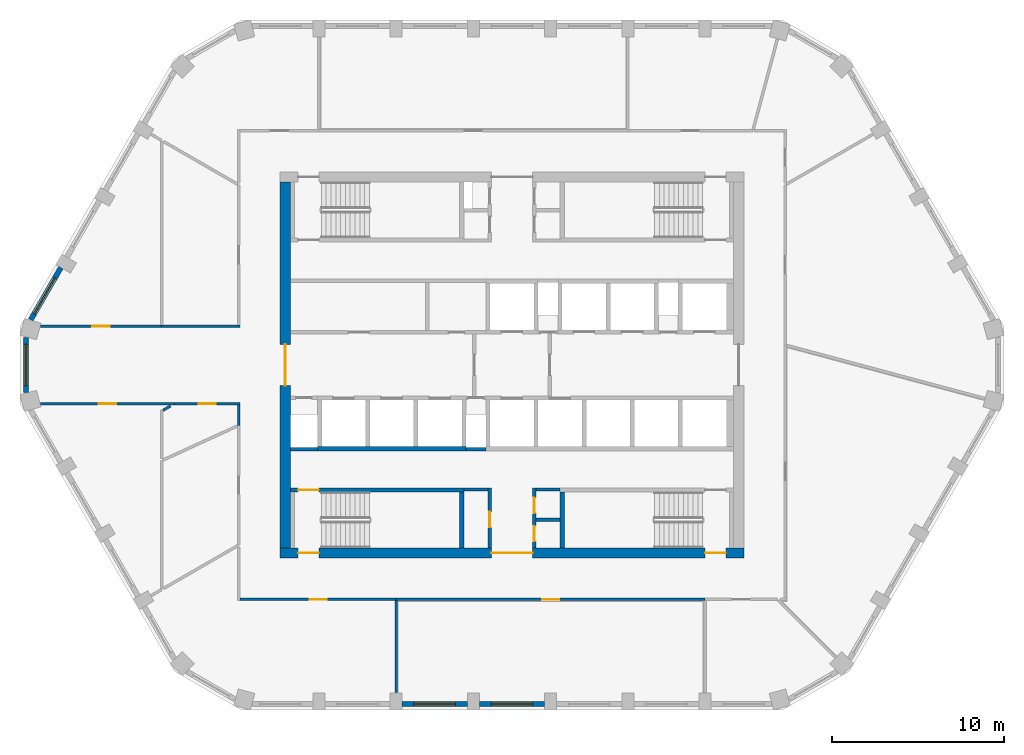
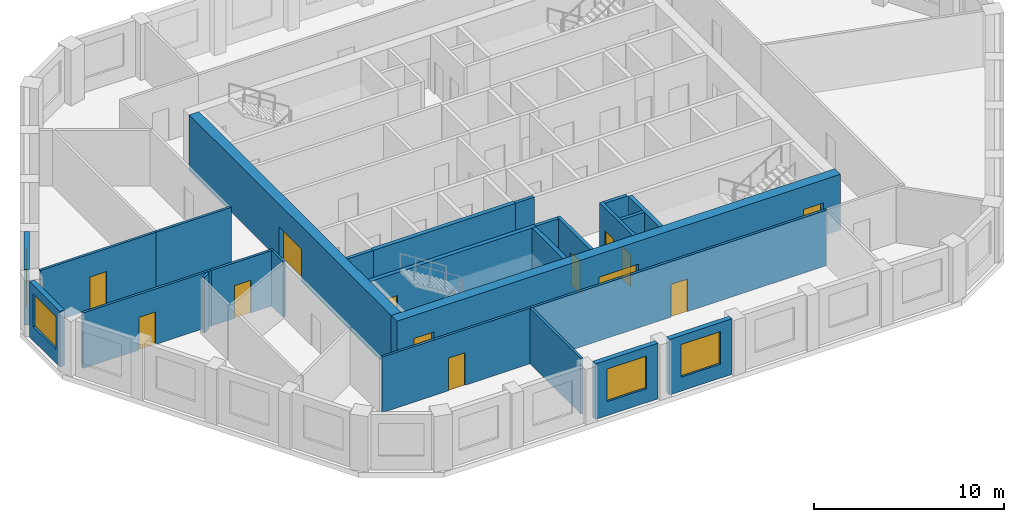
# One storey, part 2 of 10: 26 walls, 13 doors, 4 windows, 17 openings.
"""IFC4 building model written with IfcOpenShell, lengths in metres."""

from ifc_helpers import new_model, si_unit, direction, frame, frame_2d, origin, place, context, subcontext, project, spatial, polyline, rectangle, outline, extrude, material, layer, layer_set, type_object, element, fill, save


model = new_model("IFC4")

# Units and contexts
model_context = context("Model", 3, precision=1e-05, world=origin(), true_north=direction((0.0, 1.0)))
body_context = subcontext(model_context, "Body", "Model", "MODEL_VIEW")
ifc_project = project(units=[si_unit("LENGTHUNIT", "METRE"), si_unit("AREAUNIT", "SQUARE_METRE"), si_unit("VOLUMEUNIT", "CUBIC_METRE"), si_unit("PLANEANGLEUNIT", "RADIAN"), si_unit("MASSUNIT", "GRAM", prefix="KILO")], contexts=[model_context])

# Site, building, storey
site_placement = place(None, origin())
site = spatial("IfcSite", under=ifc_project, at=site_placement, CompositionType="ELEMENT")
building_placement = place(site_placement, origin())
building = spatial("IfcBuilding", under=site, at=building_placement, Name="Dhurran Vertical Campus", CompositionType="ELEMENT")
storey_placement = place(building_placement, frame((0.0, 0.0, 243.0)))
storey = spatial("IfcBuildingStorey", under=building, at=storey_placement, Name="L60", CompositionType="ELEMENT", Elevation=243.0)

# Wall, opening, window
ifc_material_1 = material(Name="Precast concrete C50/60", Category="concrete")
ifc_layer_1 = layer(ifc_material_1, 0.300048828125)
ifc_layer_set_1 = layer_set([ifc_layer_1], Name="Precast concrete C50/60")
wall_type_1 = type_object("IfcWallType", Name="Precast spandrel wall 300", PredefinedType="SOLIDWALL", material=ifc_layer_set_1)
wall_1_placement = place(storey_placement, frame((-6.3994140625, -19.738525390625, 0.0), z_axis=(0.0, 0.0, 1.0), x_axis=(1.0, 0.0, 0.0)))
wall_1 = element("IfcWall", 1, at=wall_1_placement, inside=storey, type_object=wall_type_1, Name="EW1 L60.02", PredefinedType="SOLIDWALL", context=body_context, shape_type="SweptSolid", body=[
    extrude(rectangle(XDim=3.798828125, YDim=0.300048828125, at=frame_2d((1.8994140625, 0.0))), origin(), (0.0, 0.0, 1.0), 3.574951171875),
])
opening_1_placement = place(wall_1_placement, frame((0.699462890625, 0.0, 0.89990234375)))
opening_1 = element("IfcOpeningElement", 2, at=opening_1_placement, cuts=wall_1, Name="Opening WT1", PredefinedType="OPENING", context=body_context, shape_type="SweptSolid", body=[
    extrude(rectangle(XDim=2.39990234375, YDim=2.10009765625, at=frame_2d((1.199951171875, 1.050048828125))), frame((0.0, 0.159912109375, 0.0), z_axis=(0.0, -1.0, 0.0), x_axis=(1.0, 0.0, 0.0)), (0.0, 0.0, 1.0), 0.320068359375),
])
ifc_material_2 = material(Name="Aluminium frame with solar-control glass", Category="aluminium")
window_type = type_object("IfcWindowType", Name="Punched window 2400 x 2100", PartitioningType="SINGLE_PANEL", PredefinedType="WINDOW", material=ifc_material_2)
window_1_placement = place(opening_1_placement, origin())
window_1 = element("IfcWindow", 3, at=window_1_placement, inside=storey, type_object=window_type, Name="WT1 L60.02", OverallHeight=2.10009765625, OverallWidth=2.39990234375, PartitioningType="SINGLE_PANEL", PredefinedType="WINDOW", context=body_context, shape_type="SweptSolid", body=[
    extrude(rectangle(XDim=2.39990234375, YDim=2.10009765625, at=frame_2d((1.199951171875, 1.050048828125))), frame((0.0, 0.030029296875, 0.0), z_axis=(0.0, -1.0, 0.0), x_axis=(1.0, 0.0, 0.0)), (0.0, 0.0, 1.0), 0.06005859375),
])
fill(opening_1, window_1)

wall_2_placement = place(storey_placement, frame((-1.8994140625, -19.738525390625, 0.0), z_axis=(0.0, 0.0, 1.0), x_axis=(1.0, 0.0, 0.0)))
wall_2 = element("IfcWall", 4, at=wall_2_placement, inside=storey, type_object=wall_type_1, Name="EW1 L60.03", PredefinedType="SOLIDWALL", context=body_context, shape_type="SweptSolid", body=[
    extrude(rectangle(XDim=3.798828125, YDim=0.300048828125, at=frame_2d((1.8994140625, 0.0))), origin(), (0.0, 0.0, 1.0), 3.574951171875),
])
opening_2_placement = place(wall_2_placement, frame((0.699462890625, 0.0, 0.89990234375)))
opening_2 = element("IfcOpeningElement", 5, at=opening_2_placement, cuts=wall_2, Name="Opening WT1", PredefinedType="OPENING", context=body_context, shape_type="SweptSolid", body=[
    extrude(rectangle(XDim=2.39990234375, YDim=2.10009765625, at=frame_2d((1.199951171875, 1.050048828125))), frame((0.0, 0.159912109375, 0.0), z_axis=(0.0, -1.0, 0.0), x_axis=(1.0, 0.0, 0.0)), (0.0, 0.0, 1.0), 0.320068359375),
])
window_2_placement = place(opening_2_placement, origin())
window_2 = element("IfcWindow", 6, at=window_2_placement, inside=storey, type_object=window_type, Name="WT1 L60.03", OverallHeight=2.10009765625, OverallWidth=2.39990234375, PartitioningType="SINGLE_PANEL", PredefinedType="WINDOW", context=body_context, shape_type="SweptSolid", body=[
    extrude(rectangle(XDim=2.39990234375, YDim=2.10009765625, at=frame_2d((1.199951171875, 1.050048828125))), frame((0.0, 0.030029296875, 0.0), z_axis=(0.0, -1.0, 0.0), x_axis=(1.0, 0.0, 0.0)), (0.0, 0.0, 1.0), 0.06005859375),
])
fill(opening_2, window_2)

wall_3_placement = place(storey_placement, frame((-26.269287109375, 5.668701171875, 0.0), z_axis=(0.0, 0.0, 1.0), x_axis=(-0.499990325971, -0.866030989016, 0.0)))
wall_3 = element("IfcWall", 7, at=wall_3_placement, inside=storey, type_object=wall_type_1, Name="EW1 L60.29", PredefinedType="SOLIDWALL", context=body_context, shape_type="SweptSolid", body=[
    extrude(rectangle(XDim=3.49755859375, YDim=0.300048828125, at=frame_2d((1.748779296875, 0.0))), origin(), (0.0, 0.0, 1.0), 3.574951171875),
])
opening_3_placement = place(wall_3_placement, frame((0.699462890625, 0.0, 0.89990234375)))
opening_3 = element("IfcOpeningElement", 8, at=opening_3_placement, cuts=wall_3, Name="Opening WT1", PredefinedType="OPENING", context=body_context, shape_type="SweptSolid", body=[
    extrude(rectangle(XDim=2.39990234375, YDim=2.10009765625, at=frame_2d((1.199951171875, 1.050048828125))), frame((0.0, 0.159912109375, 0.0), z_axis=(0.0, -1.0, 0.0), x_axis=(1.0, 0.0, 0.0)), (0.0, 0.0, 1.0), 0.320068359375),
])
window_3_placement = place(opening_3_placement, origin())
window_3 = element("IfcWindow", 9, at=window_3_placement, inside=storey, type_object=window_type, Name="WT1 L60.29", OverallHeight=2.10009765625, OverallWidth=2.39990234375, PartitioningType="SINGLE_PANEL", PredefinedType="WINDOW", context=body_context, shape_type="SweptSolid", body=[
    extrude(rectangle(XDim=2.39990234375, YDim=2.10009765625, at=frame_2d((1.199951171875, 1.050048828125))), frame((0.0, 0.030029296875, 0.0), z_axis=(0.0, -1.0, 0.0), x_axis=(1.0, 0.0, 0.0)), (0.0, 0.0, 1.0), 0.06005859375),
])
fill(opening_3, window_3)

wall_4_placement = place(storey_placement, frame((-28.297119140625, 1.59814453125, 0.0), z_axis=(0.0, 0.0, 1.0), x_axis=(0.0, -1.0, 0.0)))
wall_4 = element("IfcWall", 10, at=wall_4_placement, inside=storey, type_object=wall_type_1, Name="EW1 L60.30", PredefinedType="SOLIDWALL", context=body_context, shape_type="SweptSolid", body=[
    extrude(rectangle(XDim=3.1962890625, YDim=0.300048828125, at=frame_2d((1.59814453125, 0.0))), origin(), (0.0, 0.0, 1.0), 3.574951171875),
])
opening_4_placement = place(wall_4_placement, frame((0.398193359375, 0.0, 0.89990234375)))
opening_4 = element("IfcOpeningElement", 11, at=opening_4_placement, cuts=wall_4, Name="Opening WT1", PredefinedType="OPENING", context=body_context, shape_type="SweptSolid", body=[
    extrude(rectangle(XDim=2.39990234375, YDim=2.10009765625, at=frame_2d((1.199951171875, 1.050048828125))), frame((0.0, 0.159912109375, 0.0), z_axis=(0.0, -1.0, 0.0), x_axis=(1.0, 0.0, 0.0)), (0.0, 0.0, 1.0), 0.320068359375),
])
window_4_placement = place(opening_4_placement, origin())
window_4 = element("IfcWindow", 12, at=window_4_placement, inside=storey, type_object=window_type, Name="WT1 L60.30", OverallHeight=2.10009765625, OverallWidth=2.39990234375, PartitioningType="SINGLE_PANEL", PredefinedType="WINDOW", context=body_context, shape_type="SweptSolid", body=[
    extrude(rectangle(XDim=2.39990234375, YDim=2.10009765625, at=frame_2d((1.199951171875, 1.050048828125))), frame((0.0, 0.030029296875, 0.0), z_axis=(0.0, -1.0, 0.0), x_axis=(1.0, 0.0, 0.0)), (0.0, 0.0, 1.0), 0.06005859375),
])
fill(opening_4, window_4)

# Wall, openings, doors
ifc_material_3 = material(Name="Concrete C50/60", Category="concrete")
ifc_layer_2 = layer(ifc_material_3, 0.60009765625)
ifc_layer_set_2 = layer_set([ifc_layer_2], Name="Concrete C50/60")
wall_type_2 = type_object("IfcWallType", Name="co-CORE-WALL-C2-600", PredefinedType="SHEAR", material=ifc_layer_set_2)
wall_5_placement = place(storey_placement, frame((-13.5, -10.949951171875, 0.0), z_axis=(0.0, 0.0, 1.0), x_axis=(1.0, 0.0, 0.0)))
wall_5 = element("IfcWall", 13, at=wall_5_placement, inside=storey, type_object=wall_type_2, Name="Core wall S L60", PredefinedType="SHEAR", context=body_context, shape_type="SweptSolid", body=[
    extrude(rectangle(XDim=27.0, YDim=0.60009765625, at=frame_2d((13.5, 0.0))), origin(), (0.0, 0.0, 1.0), 3.574951171875),
])
opening_5_placement = place(wall_5_placement, frame((12.300048828125, 0.0, 0.0)))
opening_5 = element("IfcOpeningElement", 14, at=opening_5_placement, cuts=wall_5, Name="Opening CV2", PredefinedType="OPENING", context=body_context, shape_type="SweptSolid", body=[
    extrude(rectangle(XDim=2.39990234375, YDim=2.10009765625, at=frame_2d((1.199951171875, 1.050048828125))), frame((0.0, 0.31005859375, 0.0), z_axis=(0.0, -1.0, 0.0), x_axis=(1.0, 0.0, 0.0)), (0.0, 0.0, 1.0), 0.6201171875),
])
opening_6_placement = place(wall_5_placement, frame((1.050048828125, 0.0, 0.0)))
opening_6 = element("IfcOpeningElement", 15, at=opening_6_placement, cuts=wall_5, Name="Opening XD3", PredefinedType="OPENING", context=body_context, shape_type="SweptSolid", body=[
    extrude(rectangle(XDim=1.199951171875, YDim=2.10009765625, at=frame_2d((0.60009765625, 1.050048828125))), frame((0.0, 0.31005859375, 0.0), z_axis=(0.0, -1.0, 0.0), x_axis=(1.0, 0.0, 0.0)), (0.0, 0.0, 1.0), 0.6201171875),
])
opening_7_placement = place(wall_5_placement, frame((24.75, 0.0, 0.0)))
opening_7 = element("IfcOpeningElement", 16, at=opening_7_placement, cuts=wall_5, Name="Opening XD4", PredefinedType="OPENING", context=body_context, shape_type="SweptSolid", body=[
    extrude(rectangle(XDim=1.199951171875, YDim=2.10009765625, at=frame_2d((0.60009765625, 1.050048828125))), frame((0.0, 0.31005859375, 0.0), z_axis=(0.0, -1.0, 0.0), x_axis=(1.0, 0.0, 0.0)), (0.0, 0.0, 1.0), 0.6201171875),
])
ifc_material_4 = material(Name="Fire-rated glazed door set")
door_type_1 = type_object("IfcDoorType", Name="co-D-LOBBY 2400x2100", OperationType="DOUBLE_DOOR_DOUBLE_SWING", PredefinedType="DOOR", material=ifc_material_4)
door_1_placement = place(opening_5_placement, origin())
door_1 = element("IfcDoor", 17, at=door_1_placement, inside=storey, type_object=door_type_1, Name="Core vestibule door S L60", OperationType="DOUBLE_DOOR_DOUBLE_SWING", OverallHeight=2.10009765625, OverallWidth=2.39990234375, PredefinedType="DOOR", context=body_context, shape_type="SweptSolid", body=[
    extrude(rectangle(XDim=2.39990234375, YDim=2.10009765625, at=frame_2d((1.199951171875, 1.050048828125))), frame((0.0, 0.02490234375, 0.0), z_axis=(0.0, -1.0, 0.0), x_axis=(1.0, 0.0, 0.0)), (0.0, 0.0, 1.0), 0.050048828125),
])
fill(opening_5, door_1)
ifc_material_5 = material(Name="Fire-rated steel door set", Category="steel")
door_type_2 = type_object("IfcDoorType", Name="co-D-STAIR-EXIT 1200x2100", OperationType="SINGLE_SWING_RIGHT", PredefinedType="DOOR", material=ifc_material_5)
door_2_placement = place(opening_6_placement, origin())
door_2 = element("IfcDoor", 18, at=door_2_placement, inside=storey, type_object=door_type_2, Name="Stair ST3 exit door L60", OperationType="SINGLE_SWING_RIGHT", OverallHeight=2.10009765625, OverallWidth=1.199951171875, PredefinedType="DOOR", context=body_context, shape_type="SweptSolid", body=[
    extrude(rectangle(XDim=1.199951171875, YDim=2.10009765625, at=frame_2d((0.60009765625, 1.050048828125))), frame((0.0, 0.02490234375, 0.0), z_axis=(0.0, -1.0, 0.0), x_axis=(1.0, 0.0, 0.0)), (0.0, 0.0, 1.0), 0.050048828125),
])
fill(opening_6, door_2)
door_3_placement = place(opening_7_placement, origin())
door_3 = element("IfcDoor", 19, at=door_3_placement, inside=storey, type_object=door_type_2, Name="Stair ST4 exit door L60", OperationType="SINGLE_SWING_RIGHT", OverallHeight=2.10009765625, OverallWidth=1.199951171875, PredefinedType="DOOR", context=body_context, shape_type="SweptSolid", body=[
    extrude(rectangle(XDim=1.199951171875, YDim=2.10009765625, at=frame_2d((0.60009765625, 1.050048828125))), frame((0.0, 0.02490234375, 0.0), z_axis=(0.0, -1.0, 0.0), x_axis=(1.0, 0.0, 0.0)), (0.0, 0.0, 1.0), 0.050048828125),
])
fill(opening_7, door_3)

# Wall, opening, door
wall_6_placement = place(storey_placement, frame((-13.199951171875, -10.64990234375, 0.0), z_axis=(0.0, 0.0, 1.0), x_axis=(0.0, 1.0, 0.0)))
wall_6 = element("IfcWall", 20, at=wall_6_placement, inside=storey, type_object=wall_type_2, Name="Core wall W L60", PredefinedType="SHEAR", context=body_context, shape_type="SweptSolid", body=[
    extrude(rectangle(XDim=21.2998046875, YDim=0.60009765625, at=frame_2d((10.64990234375, 0.0))), origin(), (0.0, 0.0, 1.0), 3.574951171875),
])
opening_8_placement = place(wall_6_placement, frame((9.449951171875, 0.0, 0.0)))
opening_8 = element("IfcOpeningElement", 21, at=opening_8_placement, cuts=wall_6, Name="Opening CL1", PredefinedType="OPENING", context=body_context, shape_type="SweptSolid", body=[
    extrude(rectangle(XDim=2.39990234375, YDim=2.10009765625, at=frame_2d((1.199951171875, 1.050048828125))), frame((0.0, 0.31005859375, 0.0), z_axis=(0.0, -1.0, 0.0), x_axis=(1.0, 0.0, 0.0)), (0.0, 0.0, 1.0), 0.6201171875),
])
door_4_placement = place(opening_8_placement, origin())
door_4 = element("IfcDoor", 22, at=door_4_placement, inside=storey, type_object=door_type_1, Name="Lift lobby door W L60", OperationType="DOUBLE_DOOR_DOUBLE_SWING", OverallHeight=2.10009765625, OverallWidth=2.39990234375, PredefinedType="DOOR", context=body_context, shape_type="SweptSolid", body=[
    extrude(rectangle(XDim=2.39990234375, YDim=2.10009765625, at=frame_2d((1.199951171875, 1.050048828125))), frame((0.0, 0.02490234375, 0.0), z_axis=(0.0, -1.0, 0.0), x_axis=(1.0, 0.0, 0.0)), (0.0, 0.0, 1.0), 0.050048828125),
])
fill(opening_8, door_4)

# Walls
ifc_material_6 = material(Name="Fire-rated masonry blockwork", Category="masonry")
ifc_layer_3 = layer(ifc_material_6, 0.199951171875)
ifc_layer_set_3 = layer_set([ifc_layer_3], Name="Fire-rated masonry blockwork")
wall_type_3 = type_object("IfcWallType", Name="co-FIRE-PARTITION-200", PredefinedType="PARTITIONING", material=ifc_layer_set_3)
for number, where, z_axis, x_axis, name in (
    (23, (-2.800048828125, -7.25, 0.0), (0.0, 0.0, 1.0), (1.0, 0.0, 0.0), "Core partition sl-SW-S L60"),
    (24, (1.39990234375, -7.25, 0.0), (0.0, 0.0, 1.0), (1.0, 0.0, 0.0), "Core partition sl-SE-S L60"),
    (25, (1.39990234375, -9.0, 0.0), (0.0, 0.0, 1.0), (1.0, 0.0, 0.0), "Core partition sl-SE-cut0 L60"),
):
    element("IfcWall", number, at=place(storey_placement, frame(where, z_axis=z_axis, x_axis=x_axis)), inside=storey, type_object=wall_type_3, Name=name, PredefinedType="PARTITIONING", context=body_context, shape_type="SweptSolid", body=[
        extrude(rectangle(XDim=1.400146484375, YDim=0.199951171875, at=frame_2d((0.7001953125, 0.0))), origin(), (0.0, 0.0, 1.0), 3.574951171875),
    ])

# Wall, opening, door
wall_7_placement = place(storey_placement, frame((-1.300048828125, -10.64990234375, 0.0), z_axis=(0.0, 0.0, 1.0), x_axis=(0.0, 1.0, 0.0)))
wall_7 = element("IfcWall", 26, at=wall_7_placement, inside=storey, type_object=wall_type_3, Name="Core partition vest-SW L60", PredefinedType="PARTITIONING", context=body_context, shape_type="SweptSolid", body=[
    extrude(rectangle(XDim=3.5, YDim=0.199951171875, at=frame_2d((1.75, 0.0))), origin(), (0.0, 0.0, 1.0), 3.574951171875),
])
opening_9_placement = place(wall_7_placement, frame((1.199951171875, 0.0, 0.0)))
opening_9 = element("IfcOpeningElement", 27, at=opening_9_placement, cuts=wall_7, Name="Opening T17-C1", PredefinedType="OPENING", context=body_context, shape_type="SweptSolid", body=[
    extrude(rectangle(XDim=0.89990234375, YDim=2.10009765625, at=frame_2d((0.449951171875, 1.050048828125))), frame((0.0, 0.10986328125, 0.0), z_axis=(0.0, -1.0, 0.0), x_axis=(1.0, 0.0, 0.0)), (0.0, 0.0, 1.0), 0.219970703125),
])
ifc_material_7 = material(Name="Fire-rated timber door set", Category="wood")
door_type_3 = type_object("IfcDoorType", Name="co-D-ROOM 900x2100", OperationType="SINGLE_SWING_LEFT", PredefinedType="DOOR", material=ifc_material_7)
door_5_placement = place(opening_9_placement, origin())
door_5 = element("IfcDoor", 28, at=door_5_placement, inside=storey, type_object=door_type_3, Name="Fire equipment store door L60", OperationType="SINGLE_SWING_LEFT", OverallHeight=2.10009765625, OverallWidth=0.89990234375, PredefinedType="DOOR", context=body_context, shape_type="SweptSolid", body=[
    extrude(rectangle(XDim=0.89990234375, YDim=2.10009765625, at=frame_2d((0.449951171875, 1.050048828125))), frame((0.0, 0.02490234375, 0.0), z_axis=(0.0, -1.0, 0.0), x_axis=(1.0, 0.0, 0.0)), (0.0, 0.0, 1.0), 0.050048828125),
])
fill(opening_9, door_5)

# Wall, openings, doors
wall_8_placement = place(storey_placement, frame((1.300048828125, -10.64990234375, 0.0), z_axis=(0.0, 0.0, 1.0), x_axis=(0.0, 1.0, 0.0)))
wall_8 = element("IfcWall", 29, at=wall_8_placement, inside=storey, type_object=wall_type_3, Name="Core partition vest-SE L60", PredefinedType="PARTITIONING", context=body_context, shape_type="SweptSolid", body=[
    extrude(rectangle(XDim=3.5, YDim=0.199951171875, at=frame_2d((1.75, 0.0))), origin(), (0.0, 0.0, 1.0), 3.574951171875),
])
opening_10_placement = place(wall_8_placement, frame((0.375, 0.0, 0.0)))
opening_10 = element("IfcOpeningElement", 30, at=opening_10_placement, cuts=wall_8, Name="Opening T17-C2", PredefinedType="OPENING", context=body_context, shape_type="SweptSolid", body=[
    extrude(rectangle(XDim=0.89990234375, YDim=2.10009765625, at=frame_2d((0.449951171875, 1.050048828125))), frame((0.0, 0.10986328125, 0.0), z_axis=(0.0, -1.0, 0.0), x_axis=(1.0, 0.0, 0.0)), (0.0, 0.0, 1.0), 0.219970703125),
])
opening_11_placement = place(wall_8_placement, frame((2.02490234375, 0.0, 0.0)))
opening_11 = element("IfcOpeningElement", 31, at=opening_11_placement, cuts=wall_8, Name="Opening T17-C3", PredefinedType="OPENING", context=body_context, shape_type="SweptSolid", body=[
    extrude(rectangle(XDim=0.89990234375, YDim=2.10009765625, at=frame_2d((0.449951171875, 1.050048828125))), frame((0.0, 0.10986328125, 0.0), z_axis=(0.0, -1.0, 0.0), x_axis=(1.0, 0.0, 0.0)), (0.0, 0.0, 1.0), 0.219970703125),
])
door_6_placement = place(opening_10_placement, origin())
door_6 = element("IfcDoor", 32, at=door_6_placement, inside=storey, type_object=door_type_3, Name="Communications room door L60", OperationType="SINGLE_SWING_LEFT", OverallHeight=2.10009765625, OverallWidth=0.89990234375, PredefinedType="DOOR", context=body_context, shape_type="SweptSolid", body=[
    extrude(rectangle(XDim=0.89990234375, YDim=2.10009765625, at=frame_2d((0.449951171875, 1.050048828125))), frame((0.0, 0.02490234375, 0.0), z_axis=(0.0, -1.0, 0.0), x_axis=(1.0, 0.0, 0.0)), (0.0, 0.0, 1.0), 0.050048828125),
])
fill(opening_10, door_6)
door_7_placement = place(opening_11_placement, origin())
door_7 = element("IfcDoor", 33, at=door_7_placement, inside=storey, type_object=door_type_3, Name="Plant room door L60", OperationType="SINGLE_SWING_LEFT", OverallHeight=2.10009765625, OverallWidth=0.89990234375, PredefinedType="DOOR", context=body_context, shape_type="SweptSolid", body=[
    extrude(rectangle(XDim=0.89990234375, YDim=2.10009765625, at=frame_2d((0.449951171875, 1.050048828125))), frame((0.0, 0.02490234375, 0.0), z_axis=(0.0, -1.0, 0.0), x_axis=(1.0, 0.0, 0.0)), (0.0, 0.0, 1.0), 0.050048828125),
])
fill(opening_11, door_7)

# Walls
wall_9_placement = place(storey_placement, frame((-12.89990234375, -4.89990234375, 0.0), z_axis=(0.0, 0.0, 1.0), x_axis=(1.0, 0.0, 0.0)))
element("IfcWall", 34, at=wall_9_placement, inside=storey, type_object=wall_type_3, Name="Core partition fr-S0-b L60", PredefinedType="PARTITIONING", context=body_context, shape_type="SweptSolid", body=[
    extrude(rectangle(XDim=1.574951171875, YDim=0.199951171875, at=frame_2d((0.78759765625, 0.0))), origin(), (0.0, 0.0, 1.0), 3.574951171875),
])
wall_10_placement = place(storey_placement, frame((-2.675048828125, -4.89990234375, 0.0), z_axis=(0.0, 0.0, 1.0), x_axis=(1.0, 0.0, 0.0)))
element("IfcWall", 35, at=wall_10_placement, inside=storey, type_object=wall_type_3, Name="Core partition fr-S1-b L60", PredefinedType="PARTITIONING", context=body_context, shape_type="SweptSolid", body=[
    extrude(rectangle(XDim=1.150146484375, YDim=0.199951171875, at=frame_2d((0.5751953125, 0.0))), origin(), (0.0, 0.0, 1.0), 3.574951171875),
])
ifc_material_8 = material(Name="Concrete C50/60", Category="concrete")
ifc_layer_4 = layer(ifc_material_8, 0.25)
ifc_layer_set_4 = layer_set([ifc_layer_4], Name="Concrete C50/60")
wall_type_4 = type_object("IfcWallType", Name="co-SHAFT-MASS-250", PredefinedType="SHEAR", material=ifc_layer_set_4)
wall_11_placement = place(storey_placement, origin())
element("IfcWall", 36, at=wall_11_placement, inside=storey, type_object=wall_type_4, Name="Lift shaft wall S L60 1", PredefinedType="SHEAR", context=body_context, shape_type="SweptSolid", body=[
    extrude(outline(polyline([(-11.324951171875, -5.0), (-2.675048828125, -5.0), (-2.675048828125, -4.75), (-11.324951171875, -4.75), (-11.324951171875, -5.0)])), origin(), (0.0, 0.0, 1.0), 3.574951171875),
])

# Wall, opening, door
ifc_material_9 = material(Name="Concrete C40/50", Category="concrete")
ifc_layer_5 = layer(ifc_material_9, 0.25)
ifc_layer_set_5 = layer_set([ifc_layer_5], Name="Concrete C40/50")
wall_type_5 = type_object("IfcWallType", Name="co-STAIR-WALL-250", PredefinedType="SHEAR", material=ifc_layer_set_5)
wall_12_placement = place(storey_placement, frame((-12.89990234375, -7.27490234375, 0.0), z_axis=(0.0, 0.0, 1.0), x_axis=(1.0, 0.0, 0.0)))
wall_12 = element("IfcWall", 37, at=wall_12_placement, inside=storey, type_object=wall_type_5, Name="Stair ST3 enclosure wall L60", PredefinedType="SHEAR", context=body_context, shape_type="SweptSolid", body=[
    extrude(rectangle(XDim=10.099853515625, YDim=0.25, at=frame_2d((5.0498046875, 0.0))), origin(), (0.0, 0.0, 1.0), 3.574951171875),
])
opening_12_placement = place(wall_12_placement, frame((0.449951171875, 0.0, 0.0)))
opening_12 = element("IfcOpeningElement", 38, at=opening_12_placement, cuts=wall_12, Name="Opening SD3", PredefinedType="OPENING", context=body_context, shape_type="SweptSolid", body=[
    extrude(rectangle(XDim=1.199951171875, YDim=2.10009765625, at=frame_2d((0.60009765625, 1.050048828125))), frame((0.0, 0.135009765625, 0.0), z_axis=(0.0, -1.0, 0.0), x_axis=(1.0, 0.0, 0.0)), (0.0, 0.0, 1.0), 0.27001953125),
])
ifc_material_10 = material(Name="Fire-rated steel door set", Category="steel")
door_type_4 = type_object("IfcDoorType", Name="co-D-STAIR 1200x2100", OperationType="SINGLE_SWING_LEFT", PredefinedType="DOOR", material=ifc_material_10)
door_8_placement = place(opening_12_placement, origin())
door_8 = element("IfcDoor", 39, at=door_8_placement, inside=storey, type_object=door_type_4, Name="Stair ST3 door L60", OperationType="SINGLE_SWING_LEFT", OverallHeight=2.10009765625, OverallWidth=1.199951171875, PredefinedType="DOOR", context=body_context, shape_type="SweptSolid", body=[
    extrude(rectangle(XDim=1.199951171875, YDim=2.10009765625, at=frame_2d((0.60009765625, 1.050048828125))), frame((0.0, 0.02490234375, 0.0), z_axis=(0.0, -1.0, 0.0), x_axis=(1.0, 0.0, 0.0)), (0.0, 0.0, 1.0), 0.050048828125),
])
fill(opening_12, door_8)

# Walls
for number, where, z_axis, x_axis, name in (
    (40, (-2.925048828125, -10.64990234375, 0.0), (0.0, 0.0, 1.0), (0.0, 1.0, 0.0), "Stair ST3 enclosure wall L60"),
    (41, (2.925048828125, -10.64990234375, 0.0), (0.0, 0.0, 1.0), (0.0, 1.0, 0.0), "Stair ST4 enclosure wall L60"),
):
    element("IfcWall", number, at=place(storey_placement, frame(where, z_axis=z_axis, x_axis=x_axis)), inside=storey, type_object=wall_type_5, Name=name, PredefinedType="SHEAR", context=body_context, shape_type="SweptSolid", body=[
        extrude(rectangle(XDim=3.25, YDim=0.25, at=frame_2d((1.625, 0.0))), origin(), (0.0, 0.0, 1.0), 3.574951171875),
    ])

# Wall, opening, door
ifc_material_11 = material(Name="Gypsum board corridor wall on steel studs", Category="steel")
ifc_layer_6 = layer(ifc_material_11, 0.14990234375)
ifc_layer_set_6 = layer_set([ifc_layer_6], Name="Gypsum board corridor wall on steel studs")
wall_type_6 = type_object("IfcWallType", Name="fl-CW-150 corridor wall", PredefinedType="PARTITIONING", material=ifc_layer_set_6)
wall_13_placement = place(storey_placement, frame((-19.64697265625, -2.25, 0.0), z_axis=(0.0, 0.0, 1.0), x_axis=(-1.0, 0.0, 0.0)))
wall_13 = element("IfcWall", 42, at=wall_13_placement, inside=storey, type_object=wall_type_6, Name="Partition 60-01", PredefinedType="PARTITIONING", context=body_context, shape_type="SweptSolid", body=[
    extrude(rectangle(XDim=7.805419921875, YDim=0.14990234375, at=frame_2d((3.90283203125, 0.0))), origin(), (0.0, 0.0, 1.0), 3.574951171875),
])
opening_13_placement = place(wall_13_placement, frame((3.402587890625, 0.0, 0.0)))
opening_13 = element("IfcOpeningElement", 43, at=opening_13_placement, cuts=wall_13, Name="Opening T17.02", PredefinedType="OPENING", context=body_context, shape_type="SweptSolid", body=[
    extrude(rectangle(XDim=1.0, YDim=2.10009765625, at=frame_2d((0.5, 1.050048828125))), frame((0.0, 0.0849609375, 0.0), z_axis=(0.0, -1.0, 0.0), x_axis=(1.0, 0.0, 0.0)), (0.0, 0.0, 1.0), 0.169921875),
])
ifc_material_12 = material(Name="Solid-core timber door set, fire-rated", Category="wood")
door_type_5 = type_object("IfcDoorType", Name="fl-D-1000x2100", OperationType="SINGLE_SWING_LEFT", PredefinedType="DOOR", material=ifc_material_12)
door_9_placement = place(opening_13_placement, origin())
door_9 = element("IfcDoor", 44, at=door_9_placement, inside=storey, type_object=door_type_5, Name="Door 60.02", OperationType="SINGLE_SWING_RIGHT", OverallHeight=2.10009765625, OverallWidth=1.0, PredefinedType="DOOR", context=body_context, shape_type="SweptSolid", body=[
    extrude(rectangle(XDim=1.0, YDim=2.10009765625, at=frame_2d((0.5, 1.050048828125))), frame((0.0, 0.02490234375, 0.0), z_axis=(0.0, -1.0, 0.0), x_axis=(1.0, 0.0, 0.0)), (0.0, 0.0, 1.0), 0.050048828125),
])
fill(opening_13, door_9)

wall_14_placement = place(storey_placement, frame((-27.452392578125, 2.25, 0.0), z_axis=(0.0, 0.0, 1.0), x_axis=(1.0, 0.0, 0.0)))
wall_14 = element("IfcWall", 45, at=wall_14_placement, inside=storey, type_object=wall_type_6, Name="Partition 60-02", PredefinedType="PARTITIONING", context=body_context, shape_type="SweptSolid", body=[
    extrude(rectangle(XDim=7.052490234375, YDim=0.14990234375, at=frame_2d((3.5263671875, 0.0))), origin(), (0.0, 0.0, 1.0), 3.574951171875),
])
opening_14_placement = place(wall_14_placement, frame((3.026123046875, 0.0, 0.0)))
opening_14 = element("IfcOpeningElement", 46, at=opening_14_placement, cuts=wall_14, Name="Opening T17.01", PredefinedType="OPENING", context=body_context, shape_type="SweptSolid", body=[
    extrude(rectangle(XDim=1.0, YDim=2.10009765625, at=frame_2d((0.5, 1.050048828125))), frame((0.0, 0.0849609375, 0.0), z_axis=(0.0, -1.0, 0.0), x_axis=(1.0, 0.0, 0.0)), (0.0, 0.0, 1.0), 0.169921875),
])
door_10_placement = place(opening_14_placement, origin())
door_10 = element("IfcDoor", 47, at=door_10_placement, inside=storey, type_object=door_type_5, Name="Door 60.01", OperationType="SINGLE_SWING_LEFT", OverallHeight=2.10009765625, OverallWidth=1.0, PredefinedType="DOOR", context=body_context, shape_type="SweptSolid", body=[
    extrude(rectangle(XDim=1.0, YDim=2.10009765625, at=frame_2d((0.5, 1.050048828125))), frame((0.0, 0.02490234375, 0.0), z_axis=(0.0, -1.0, 0.0), x_axis=(1.0, 0.0, 0.0)), (0.0, 0.0, 1.0), 0.050048828125),
])
fill(opening_14, door_10)

# Wall
wall_15_placement = place(storey_placement, frame((-20.39990234375, 2.25, 0.0), z_axis=(0.0, 0.0, 1.0), x_axis=(1.0, 0.0, 0.0)))
element("IfcWall", 48, at=wall_15_placement, inside=storey, type_object=wall_type_6, Name="Partition 60-11", PredefinedType="PARTITIONING", context=body_context, shape_type="SweptSolid", body=[
    extrude(rectangle(XDim=4.574951171875, YDim=0.14990234375, at=frame_2d((2.28759765625, 0.0))), origin(), (0.0, 0.0, 1.0), 3.574951171875),
])

# Wall, opening, door
wall_16_placement = place(storey_placement, frame((-15.824951171875, -2.25, 0.0), z_axis=(0.0, 0.0, 1.0), x_axis=(-1.0, 0.0, 0.0)))
wall_16 = element("IfcWall", 49, at=wall_16_placement, inside=storey, type_object=wall_type_6, Name="Partition 60-13", PredefinedType="PARTITIONING", context=body_context, shape_type="SweptSolid", body=[
    extrude(rectangle(XDim=3.822021484375, YDim=0.14990234375, at=frame_2d((1.9111328125, 0.0))), origin(), (0.0, 0.0, 1.0), 3.574951171875),
])
opening_15_placement = place(wall_16_placement, frame((1.410888671875, 0.0, 0.0)))
opening_15 = element("IfcOpeningElement", 50, at=opening_15_placement, cuts=wall_16, Name="Opening T17.03", PredefinedType="OPENING", context=body_context, shape_type="SweptSolid", body=[
    extrude(rectangle(XDim=1.0, YDim=2.10009765625, at=frame_2d((0.5, 1.050048828125))), frame((0.0, 0.0849609375, 0.0), z_axis=(0.0, -1.0, 0.0), x_axis=(1.0, 0.0, 0.0)), (0.0, 0.0, 1.0), 0.169921875),
])
door_11_placement = place(opening_15_placement, origin())
door_11 = element("IfcDoor", 51, at=door_11_placement, inside=storey, type_object=door_type_5, Name="Door 60.03", OperationType="SINGLE_SWING_RIGHT", OverallHeight=2.10009765625, OverallWidth=1.0, PredefinedType="DOOR", context=body_context, shape_type="SweptSolid", body=[
    extrude(rectangle(XDim=1.0, YDim=2.10009765625, at=frame_2d((0.5, 1.050048828125))), frame((0.0, 0.02490234375, 0.0), z_axis=(0.0, -1.0, 0.0), x_axis=(1.0, 0.0, 0.0)), (0.0, 0.0, 1.0), 0.050048828125),
])
fill(opening_15, door_11)

wall_17_placement = place(storey_placement, frame((-15.824951171875, -13.64990234375, 0.0), z_axis=(0.0, 0.0, 1.0), x_axis=(1.0, 0.0, 0.0)))
wall_17 = element("IfcWall", 52, at=wall_17_placement, inside=storey, type_object=wall_type_6, Name="Partition 60-15", PredefinedType="PARTITIONING", context=body_context, shape_type="SweptSolid", body=[
    extrude(rectangle(XDim=9.074951171875, YDim=0.14990234375, at=frame_2d((4.53759765625, 0.0))), origin(), (0.0, 0.0, 1.0), 3.574951171875),
])
opening_16_placement = place(wall_17_placement, frame((4.03759765625, 0.0, 0.0)))
opening_16 = element("IfcOpeningElement", 53, at=opening_16_placement, cuts=wall_17, Name="Opening T17.07", PredefinedType="OPENING", context=body_context, shape_type="SweptSolid", body=[
    extrude(rectangle(XDim=1.0, YDim=2.10009765625, at=frame_2d((0.5, 1.050048828125))), frame((0.0, 0.0849609375, 0.0), z_axis=(0.0, -1.0, 0.0), x_axis=(1.0, 0.0, 0.0)), (0.0, 0.0, 1.0), 0.169921875),
])
door_12_placement = place(opening_16_placement, origin())
door_12 = element("IfcDoor", 54, at=door_12_placement, inside=storey, type_object=door_type_5, Name="Door 60.07", OperationType="SINGLE_SWING_RIGHT", OverallHeight=2.10009765625, OverallWidth=1.0, PredefinedType="DOOR", context=body_context, shape_type="SweptSolid", body=[
    extrude(rectangle(XDim=1.0, YDim=2.10009765625, at=frame_2d((0.5, 1.050048828125))), frame((0.0, 0.02490234375, 0.0), z_axis=(0.0, -1.0, 0.0), x_axis=(1.0, 0.0, 0.0)), (0.0, 0.0, 1.0), 0.050048828125),
])
fill(opening_16, door_12)

# Wall
wall_18_placement = place(storey_placement, frame((-15.89990234375, -2.324951171875, 0.0), z_axis=(0.0, 0.0, 1.0), x_axis=(0.0, -1.0, 0.0)))
element("IfcWall", 55, at=wall_18_placement, inside=storey, type_object=wall_type_6, Name="Partition 60-17", PredefinedType="PARTITIONING", context=body_context, shape_type="SweptSolid", body=[
    extrude(rectangle(XDim=1.18310546875, YDim=0.14990234375, at=frame_2d((0.591552734375, 0.0))), origin(), (0.0, 0.0, 1.0), 3.574951171875),
])

# Wall, opening, door
wall_19_placement = place(storey_placement, frame((-6.75, -13.64990234375, 0.0), z_axis=(0.0, 0.0, 1.0), x_axis=(1.0, 0.0, 0.0)))
wall_19 = element("IfcWall", 56, at=wall_19_placement, inside=storey, type_object=wall_type_6, Name="Partition 60-24", PredefinedType="PARTITIONING", context=body_context, shape_type="SweptSolid", body=[
    extrude(rectangle(XDim=18.0, YDim=0.14990234375, at=frame_2d((9.0, 0.0))), origin(), (0.0, 0.0, 1.0), 3.574951171875),
])
opening_17_placement = place(wall_19_placement, frame((8.5, 0.0, 0.0)))
opening_17 = element("IfcOpeningElement", 57, at=opening_17_placement, cuts=wall_19, Name="Opening T17.09", PredefinedType="OPENING", context=body_context, shape_type="SweptSolid", body=[
    extrude(rectangle(XDim=1.0, YDim=2.10009765625, at=frame_2d((0.5, 1.050048828125))), frame((0.0, 0.0849609375, 0.0), z_axis=(0.0, -1.0, 0.0), x_axis=(1.0, 0.0, 0.0)), (0.0, 0.0, 1.0), 0.169921875),
])
door_13_placement = place(opening_17_placement, origin())
door_13 = element("IfcDoor", 58, at=door_13_placement, inside=storey, type_object=door_type_5, Name="Door 60.09", OperationType="SINGLE_SWING_LEFT", OverallHeight=2.10009765625, OverallWidth=1.0, PredefinedType="DOOR", context=body_context, shape_type="SweptSolid", body=[
    extrude(rectangle(XDim=1.0, YDim=2.10009765625, at=frame_2d((0.5, 1.050048828125))), frame((0.0, 0.02490234375, 0.0), z_axis=(0.0, -1.0, 0.0), x_axis=(1.0, 0.0, 0.0)), (0.0, 0.0, 1.0), 0.050048828125),
])
fill(opening_17, door_13)

# Walls
ifc_material_13 = material(Name="Gypsum board partition on steel studs", Category="steel")
ifc_layer_7 = layer(ifc_material_13, 0.14990234375)
ifc_layer_set_7 = layer_set([ifc_layer_7], Name="Gypsum board partition on steel studs")
wall_type_7 = type_object("IfcWallType", Name="fl-PW-150 fixed partition", PredefinedType="PARTITIONING", material=ifc_layer_set_7)
wall_20_placement = place(storey_placement, frame((-19.885009765625, -2.387451171875, 0.0), z_axis=(0.0, 0.0, 1.0), x_axis=(-0.865865073245, -0.500277597875, 0.0)))
element("IfcWall", 59, at=wall_20_placement, inside=storey, type_object=wall_type_7, Name="Partition 60-09", PredefinedType="PARTITIONING", context=body_context, shape_type="SweptSolid", body=[
    extrude(rectangle(XDim=0.494873046875, YDim=0.14990234375, at=frame_2d((0.24755859375, 0.0))), origin(), (0.0, 0.0, 1.0), 3.574951171875),
])
wall_21_placement = place(storey_placement, frame((-6.75, -13.72509765625, 0.0), z_axis=(0.0, 0.0, 1.0), x_axis=(0.0, -1.0, 0.0)))
element("IfcWall", 60, at=wall_21_placement, inside=storey, type_object=wall_type_7, Name="Partition 60-23", PredefinedType="PARTITIONING", context=body_context, shape_type="SweptSolid", body=[
    extrude(rectangle(XDim=5.343505859375, YDim=0.14990234375, at=frame_2d((2.671875, 0.0))), origin(), (0.0, 0.0, 1.0), 3.574951171875),
])

save(model, "model.ifc")
